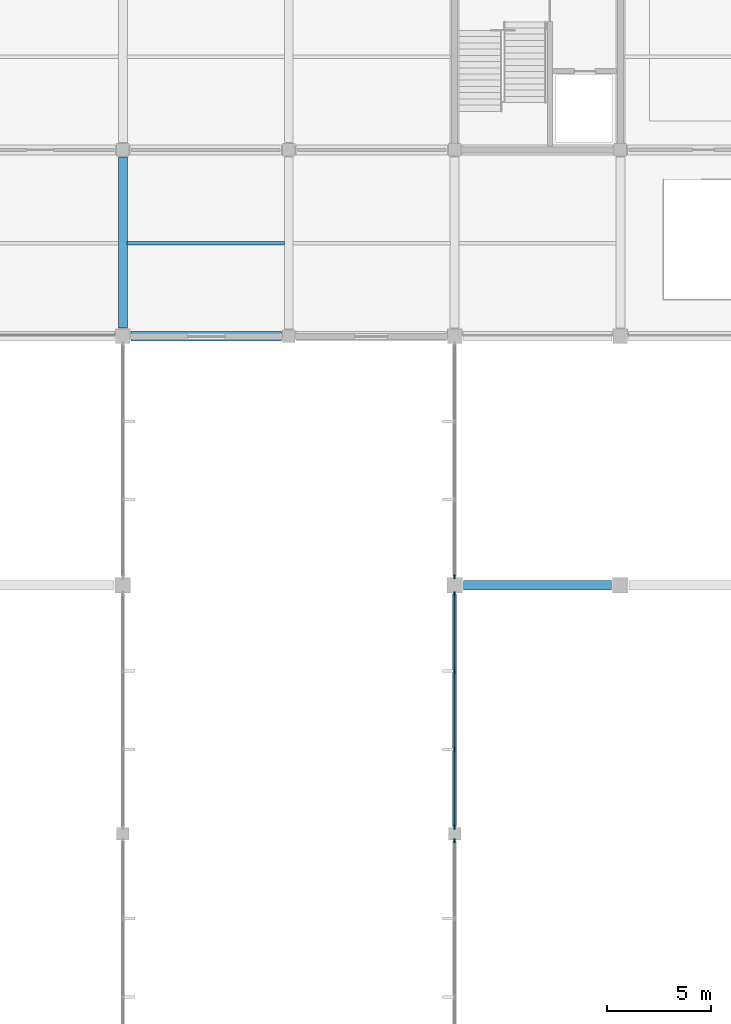
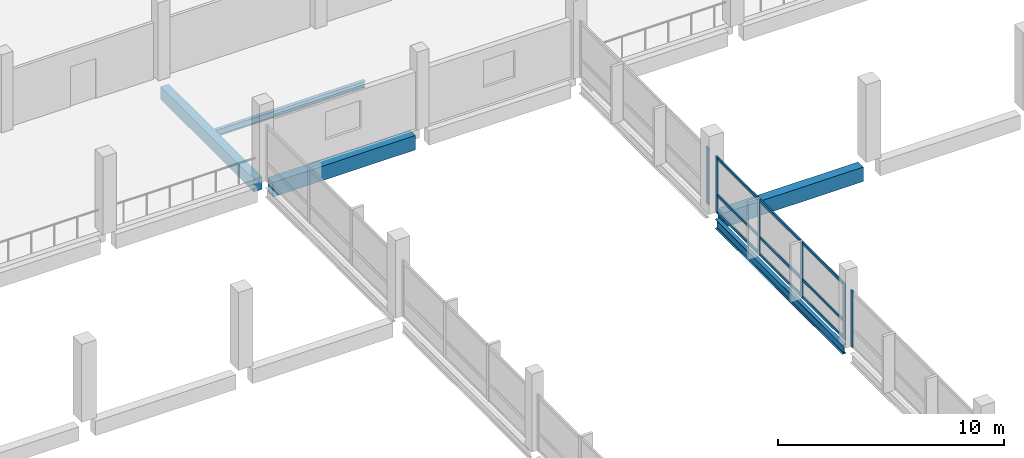
# One storey, part 18 of 57: 15 members, 5 beams, 3 elements without a shape of their own.
"""IFC4 building model written with IfcOpenShell, lengths in metres."""

from ifc_helpers import new_model, si_unit, direction, frame, origin, origin_2d, place, context, subcontext, project, spatial, rectangle, i_section, extrude, material, material_profile, profile_set, type_object, element, aggregate, save


model = new_model("IFC4")

# Units and contexts
model_context = context("Model", 3, precision=1e-05, world=origin(), true_north=direction((0.0, 1.0)))
body_context = subcontext(model_context, "Body", "Model", "MODEL_VIEW")
ifc_project = project(units=[si_unit("LENGTHUNIT", "METRE"), si_unit("AREAUNIT", "SQUARE_METRE"), si_unit("VOLUMEUNIT", "CUBIC_METRE"), si_unit("PLANEANGLEUNIT", "RADIAN"), si_unit("MASSUNIT", "GRAM", prefix="KILO"), si_unit("THERMODYNAMICTEMPERATUREUNIT", "KELVIN"), si_unit("POWERUNIT", "WATT")], contexts=[model_context])

# Site, building, storey
site_placement = place(None, origin())
site = spatial("IfcSite", under=ifc_project, at=site_placement, CompositionType="ELEMENT")
building_placement = place(site_placement, origin())
building = spatial("IfcBuilding", under=site, at=building_placement, Name="Kronsvod Quay Wholesale Market", CompositionType="ELEMENT")
storey_placement = place(building_placement, frame((0.0, 0.0, 4.800048828125)))
storey = spatial("IfcBuildingStorey", under=building, at=storey_placement, Name="L01", CompositionType="ELEMENT", Elevation=4.800048828125)

# Beams
ifc_material_1 = material(Name="Precast concrete C40/50", Category="concrete")
ifc_material_profile_1 = material_profile(ifc_material_1, rectangle(XDim=0.419921875, YDim=0.679931640625, at=origin_2d()), Name="PB-05")
ifc_profile_set_1 = profile_set([ifc_material_profile_1], Name="Precast concrete C40/50")
beam_type_1 = type_object("IfcBeamType", Name="Beam_PCB420x680", PredefinedType="BEAM", material=ifc_profile_set_1)
beam_1_placement = place(storey_placement, frame((88.0, 90.39990234375, -0.64013671875), z_axis=(0.0, 1.0, 0.0), x_axis=(-1.0, 0.0, 0.0)))
element("IfcBeam", 1, at=beam_1_placement, inside=storey, type_object=beam_type_1, Name="BMY-L01-880-900", PredefinedType="BEAM", context=body_context, shape_type="SweptSolid", body=[
    extrude(rectangle(XDim=0.419921875, YDim=0.679931640625, at=origin_2d()), origin(), (0.0, 0.0, 1.0), 8.25),
])
ifc_material_2 = material(Name="Precast concrete C40/50", Category="concrete")
ifc_material_profile_2 = material_profile(ifc_material_2, rectangle(XDim=0.4599609375, YDim=0.780029296875, at=origin_2d()), Name="PB-03")
ifc_profile_set_2 = profile_set([ifc_material_profile_2], Name="Precast concrete C40/50")
beam_type_2 = type_object("IfcBeamType", Name="Beam_PCB460x780", PredefinedType="BEAM", material=ifc_profile_set_2)
beam_2_placement = place(storey_placement, frame((104.425048828125, 78.0, -0.68994140625), z_axis=(1.0, 0.0, 0.0), x_axis=(0.0, 1.0, 0.0)))
element("IfcBeam", 2, at=beam_2_placement, inside=storey, type_object=beam_type_2, Name="BMX-L01-1040-780", PredefinedType="BEAM", context=body_context, shape_type="SweptSolid", body=[
    extrude(rectangle(XDim=0.4599609375, YDim=0.780029296875, at=origin_2d()), origin(), (0.0, 0.0, 1.0), 7.14990234375),
])
beam_3_placement = place(storey_placement, frame((88.39990234375, 90.0, -0.68994140625), z_axis=(1.0, 0.0, 0.0), x_axis=(0.0, 1.0, 0.0)))
element("IfcBeam", 3, at=beam_3_placement, inside=storey, type_object=beam_type_2, Name="BMX-L01-880-900", PredefinedType="BEAM", context=body_context, shape_type="SweptSolid", body=[
    extrude(rectangle(XDim=0.4599609375, YDim=0.780029296875, at=origin_2d()), origin(), (0.0, 0.0, 1.0), 7.25),
])
ifc_material_3 = material(Name="Steel S355", Category="steel")
ifc_material_profile_3 = material_profile(ifc_material_3, i_section(OverallWidth=0.198974609375, OverallDepth=0.49609375, WebThickness=0.009033203125, FlangeThickness=0.013916015625, FilletRadius=0.02001953125, at=origin_2d()), Name="50B1")
ifc_profile_set_3 = profile_set([ifc_material_profile_3], Name="Steel S355")
beam_type_3 = type_object("IfcBeamType", Name="Girder_Steel50B1", PredefinedType="T_BEAM", material=ifc_profile_set_3)
beam_4_placement = place(storey_placement, frame((104.0, 66.35009765625, -0.548095703125), z_axis=(0.0, 1.0, 0.0), x_axis=(-1.0, 0.0, 0.0)))
element("IfcBeam", 4, at=beam_4_placement, inside=storey, type_object=beam_type_3, Name="BMY-L01-1040-660", PredefinedType="T_BEAM", context=body_context, shape_type="SweptSolid", body=[
    extrude(i_section(OverallWidth=0.198974609375, OverallDepth=0.49609375, WebThickness=0.009033203125, FlangeThickness=0.013916015625, FilletRadius=0.02001953125, at=origin_2d()), origin(), (0.0, 0.0, 1.0), 11.224853515625),
])
ifc_material_4 = material(Name="Steel S355", Category="steel")
ifc_material_profile_4 = material_profile(ifc_material_4, i_section(OverallWidth=0.175048828125, OverallDepth=0.35009765625, WebThickness=0.007080078125, FlangeThickness=0.010986328125, FilletRadius=0.013916015625, at=origin_2d()), Name="35B2")
ifc_profile_set_4 = profile_set([ifc_material_profile_4], Name="Steel S355")
beam_type_4 = type_object("IfcBeamType", Name="Joist_Steel35B2", PredefinedType="JOIST", material=ifc_profile_set_4)
beam_5_placement = place(storey_placement, frame((88.205078125, 94.5, -0.405029296875), z_axis=(1.0, 0.0, 0.0), x_axis=(0.0, 1.0, 0.0)))
element("IfcBeam", 5, at=beam_5_placement, inside=storey, type_object=beam_type_4, Name="JSTX-L01-880-900", PredefinedType="JOIST", context=body_context, shape_type="SweptSolid", body=[
    extrude(i_section(OverallWidth=0.175048828125, OverallDepth=0.35009765625, WebThickness=0.007080078125, FlangeThickness=0.010986328125, FilletRadius=0.013916015625, at=origin_2d()), origin(), (0.0, 0.0, 1.0), 7.58984375),
])

# Curtain wall, member
ifc_material_5 = material(Name="Thermally broken aluminium and triple low-E glazing", Category="aluminium")
curtain_wall_type = type_object("IfcCurtainWallType", Name="CW_Court120x35", PredefinedType="NOTDEFINED", material=ifc_material_5)
curtain_wall_1_placement = place(storey_placement, origin())
curtain_wall_1 = element("IfcCurtainWall", 6, at=curtain_wall_1_placement, inside=storey, type_object=curtain_wall_type, Name="CWGY-L01-1040-540", PredefinedType="NOTDEFINED")
ifc_material_6 = material(Name="Anodised aluminium", Category="aluminium")
ifc_material_profile_5 = material_profile(ifc_material_6, rectangle(XDim=0.074951171875, YDim=0.199951171875, at=origin_2d()), Name="ALUM75x200")
ifc_profile_set_5 = profile_set([ifc_material_profile_5], Name="Anodised aluminium")
member_type_1 = type_object("IfcMemberType", Name="Mullion_ALU75x200", PredefinedType="MULLION", material=ifc_profile_set_5)
member_1_placement = place(storey_placement, frame((104.0, 65.66748046875, 0.0), z_axis=(0.0, 0.0, 1.0), x_axis=(1.0, 0.0, 0.0)))
member_1 = element("IfcMember", 7, at=member_1_placement, type_object=member_type_1, Name="CWGY-L01-1040-540-M1", PredefinedType="MULLION", context=body_context, shape_type="SweptSolid", body=[
    extrude(rectangle(XDim=0.074951171875, YDim=0.199951171875, at=origin_2d()), origin(), (0.0, 0.0, 1.0), 3.050048828125),
])
aggregate(curtain_wall_1, [member_1])

# Curtain wall, members
curtain_wall_2_placement = place(storey_placement, origin())
curtain_wall_2 = element("IfcCurtainWall", 8, at=curtain_wall_2_placement, inside=storey, type_object=curtain_wall_type, Name="CWGY-L01-1040-660", PredefinedType="NOTDEFINED")
member_2_placement = place(storey_placement, frame((104.0, 77.592529296875, 0.0), z_axis=(0.0, 0.0, 1.0), x_axis=(1.0, 0.0, 0.0)))
member_2 = element("IfcMember", 9, at=member_2_placement, type_object=member_type_1, Name="CWGY-L01-1040-660-M1", PredefinedType="MULLION", context=body_context, shape_type="SweptSolid", body=[
    extrude(rectangle(XDim=0.074951171875, YDim=0.199951171875, at=origin_2d()), origin(), (0.0, 0.0, 1.0), 3.050048828125),
])
member_3_placement = place(storey_placement, frame((104.0, 73.8515625, 0.0), z_axis=(0.0, 0.0, 1.0), x_axis=(1.0, 0.0, 0.0)))
member_3 = element("IfcMember", 10, at=member_3_placement, type_object=member_type_1, Name="CWGY-L01-1040-660-M2", PredefinedType="MULLION", context=body_context, shape_type="SweptSolid", body=[
    extrude(rectangle(XDim=0.074951171875, YDim=0.199951171875, at=origin_2d()), origin(), (0.0, 0.0, 1.0), 3.050048828125),
])
member_4_placement = place(storey_placement, frame((104.0, 70.0732421875, 0.0), z_axis=(0.0, 0.0, 1.0), x_axis=(1.0, 0.0, 0.0)))
member_4 = element("IfcMember", 11, at=member_4_placement, type_object=member_type_1, Name="CWGY-L01-1040-660-M3", PredefinedType="MULLION", context=body_context, shape_type="SweptSolid", body=[
    extrude(rectangle(XDim=0.074951171875, YDim=0.199951171875, at=origin_2d()), origin(), (0.0, 0.0, 1.0), 3.050048828125),
])
member_5_placement = place(storey_placement, frame((104.0, 66.33251953125, 0.0), z_axis=(0.0, 0.0, 1.0), x_axis=(1.0, 0.0, 0.0)))
member_5 = element("IfcMember", 12, at=member_5_placement, type_object=member_type_1, Name="CWGY-L01-1040-660-M4", PredefinedType="MULLION", context=body_context, shape_type="SweptSolid", body=[
    extrude(rectangle(XDim=0.074951171875, YDim=0.199951171875, at=origin_2d()), origin(), (0.0, 0.0, 1.0), 3.050048828125),
])

# Curtain wall, member
curtain_wall_3_placement = place(storey_placement, origin())
curtain_wall_3 = element("IfcCurtainWall", 13, at=curtain_wall_3_placement, inside=storey, type_object=curtain_wall_type, Name="CWGY-L01-1040-780", PredefinedType="NOTDEFINED")
member_6_placement = place(storey_placement, frame((104.0, 78.407470703125, 0.0), z_axis=(0.0, 0.0, 1.0), x_axis=(1.0, 0.0, 0.0)))
member_6 = element("IfcMember", 14, at=member_6_placement, type_object=member_type_1, Name="CWGY-L01-1040-780-M4", PredefinedType="MULLION", context=body_context, shape_type="SweptSolid", body=[
    extrude(rectangle(XDim=0.074951171875, YDim=0.199951171875, at=origin_2d()), origin(), (0.0, 0.0, 1.0), 3.050048828125),
])
aggregate(curtain_wall_3, [member_6])

# Member
ifc_material_7 = material(Name="Anodised aluminium", Category="aluminium")
ifc_material_profile_6 = material_profile(ifc_material_7, rectangle(XDim=0.074951171875, YDim=0.14990234375, at=origin_2d()), Name="ALUT75x150")
ifc_profile_set_6 = profile_set([ifc_material_profile_6], Name="Anodised aluminium")
member_type_2 = type_object("IfcMemberType", Name="Transom_ALU75x150", PredefinedType="USERDEFINED", material=ifc_profile_set_6)
member_7_placement = place(storey_placement, frame((104.0, 77.554931640625, 0.074951171875), z_axis=(0.0, -1.0, 0.0), x_axis=(1.0, 0.0, 0.0)))
member_7 = element("IfcMember", 15, at=member_7_placement, type_object=member_type_2, Name="CWGY-L01-1040-660-T1B1", ObjectType="TRANSOM", PredefinedType="USERDEFINED", context=body_context, shape_type="SweptSolid", body=[
    extrude(rectangle(XDim=0.074951171875, YDim=0.14990234375, at=origin_2d()), origin(), (0.0, 0.0, 1.0), 3.665771484375),
])

member_8_placement = place(storey_placement, frame((104.0, 73.814208984375, 0.074951171875), z_axis=(0.0, -1.0, 0.0), x_axis=(1.0, 0.0, 0.0)))
member_8 = element("IfcMember", 16, at=member_8_placement, type_object=member_type_2, Name="CWGY-L01-1040-660-T1B2", ObjectType="TRANSOM", PredefinedType="USERDEFINED", context=body_context, shape_type="SweptSolid", body=[
    extrude(rectangle(XDim=0.074951171875, YDim=0.14990234375, at=origin_2d()), origin(), (0.0, 0.0, 1.0), 3.703369140625),
])

member_9_placement = place(storey_placement, frame((104.0, 70.035888671875, 0.074951171875), z_axis=(0.0, -1.0, 0.0), x_axis=(1.0, 0.0, 0.0)))
member_9 = element("IfcMember", 17, at=member_9_placement, type_object=member_type_2, Name="CWGY-L01-1040-660-T1B3", ObjectType="TRANSOM", PredefinedType="USERDEFINED", context=body_context, shape_type="SweptSolid", body=[
    extrude(rectangle(XDim=0.074951171875, YDim=0.14990234375, at=origin_2d()), origin(), (0.0, 0.0, 1.0), 3.665771484375),
])

member_10_placement = place(storey_placement, frame((104.0, 77.554931640625, 1.0), z_axis=(0.0, -1.0, 0.0), x_axis=(1.0, 0.0, 0.0)))
member_10 = element("IfcMember", 18, at=member_10_placement, type_object=member_type_2, Name="CWGY-L01-1040-660-T2B1", ObjectType="TRANSOM", PredefinedType="USERDEFINED", context=body_context, shape_type="SweptSolid", body=[
    extrude(rectangle(XDim=0.074951171875, YDim=0.14990234375, at=origin_2d()), origin(), (0.0, 0.0, 1.0), 3.665771484375),
])

member_11_placement = place(storey_placement, frame((104.0, 73.814208984375, 1.0), z_axis=(0.0, -1.0, 0.0), x_axis=(1.0, 0.0, 0.0)))
member_11 = element("IfcMember", 19, at=member_11_placement, type_object=member_type_2, Name="CWGY-L01-1040-660-T2B2", ObjectType="TRANSOM", PredefinedType="USERDEFINED", context=body_context, shape_type="SweptSolid", body=[
    extrude(rectangle(XDim=0.074951171875, YDim=0.14990234375, at=origin_2d()), origin(), (0.0, 0.0, 1.0), 3.703369140625),
])

member_12_placement = place(storey_placement, frame((104.0, 70.035888671875, 1.0), z_axis=(0.0, -1.0, 0.0), x_axis=(1.0, 0.0, 0.0)))
member_12 = element("IfcMember", 20, at=member_12_placement, type_object=member_type_2, Name="CWGY-L01-1040-660-T2B3", ObjectType="TRANSOM", PredefinedType="USERDEFINED", context=body_context, shape_type="SweptSolid", body=[
    extrude(rectangle(XDim=0.074951171875, YDim=0.14990234375, at=origin_2d()), origin(), (0.0, 0.0, 1.0), 3.665771484375),
])

member_13_placement = place(storey_placement, frame((104.0, 77.554931640625, 2.974853515625), z_axis=(0.0, -1.0, 0.0), x_axis=(1.0, 0.0, 0.0)))
member_13 = element("IfcMember", 21, at=member_13_placement, type_object=member_type_2, Name="CWGY-L01-1040-660-T3B1", ObjectType="TRANSOM", PredefinedType="USERDEFINED", context=body_context, shape_type="SweptSolid", body=[
    extrude(rectangle(XDim=0.074951171875, YDim=0.14990234375, at=origin_2d()), origin(), (0.0, 0.0, 1.0), 3.665771484375),
])

member_14_placement = place(storey_placement, frame((104.0, 73.814208984375, 2.974853515625), z_axis=(0.0, -1.0, 0.0), x_axis=(1.0, 0.0, 0.0)))
member_14 = element("IfcMember", 22, at=member_14_placement, type_object=member_type_2, Name="CWGY-L01-1040-660-T3B2", ObjectType="TRANSOM", PredefinedType="USERDEFINED", context=body_context, shape_type="SweptSolid", body=[
    extrude(rectangle(XDim=0.074951171875, YDim=0.14990234375, at=origin_2d()), origin(), (0.0, 0.0, 1.0), 3.703369140625),
])

member_15_placement = place(storey_placement, frame((104.0, 70.035888671875, 2.974853515625), z_axis=(0.0, -1.0, 0.0), x_axis=(1.0, 0.0, 0.0)))
member_15 = element("IfcMember", 23, at=member_15_placement, type_object=member_type_2, Name="CWGY-L01-1040-660-T3B3", ObjectType="TRANSOM", PredefinedType="USERDEFINED", context=body_context, shape_type="SweptSolid", body=[
    extrude(rectangle(XDim=0.074951171875, YDim=0.14990234375, at=origin_2d()), origin(), (0.0, 0.0, 1.0), 3.665771484375),
])

aggregate(curtain_wall_2, [member_2, member_3, member_4, member_5, member_7, member_8, member_9, member_10, member_11, member_12, member_13, member_14, member_15])

save(model, "model.ifc")
